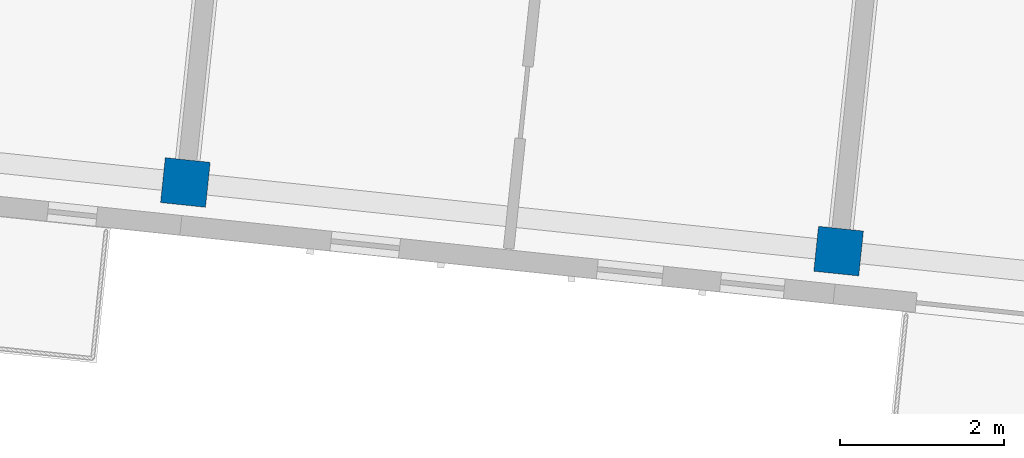
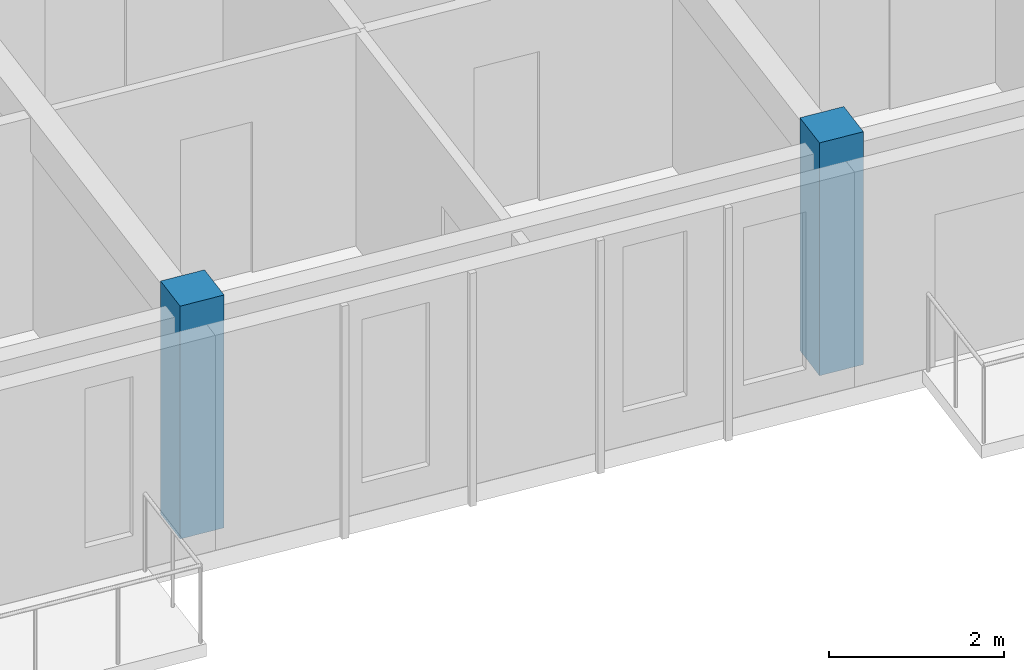
# One storey, part 3 of 127: 2 columns.
"""IFC4 building model written with IfcOpenShell, lengths in metres."""

from ifc_helpers import new_model, si_unit, direction, frame, origin, origin_2d, place, context, subcontext, project, spatial, rectangle, extrude, material, material_profile, profile_set, type_object, element, save


model = new_model("IFC4")

# Units and contexts
model_context = context("Model", 3, precision=1e-05, world=origin(), true_north=direction((0.0, 1.0)))
body_context = subcontext(model_context, "Body", "Model", "MODEL_VIEW")
ifc_project = project(units=[si_unit("LENGTHUNIT", "METRE"), si_unit("AREAUNIT", "SQUARE_METRE"), si_unit("VOLUMEUNIT", "CUBIC_METRE"), si_unit("PLANEANGLEUNIT", "RADIAN"), si_unit("MASSUNIT", "GRAM", prefix="KILO")], contexts=[model_context])

# Site, building, storey
site_placement = place(None, origin())
site = spatial("IfcSite", under=ifc_project, at=site_placement, CompositionType="ELEMENT")
building_placement = place(site_placement, origin())
building = spatial("IfcBuilding", under=site, at=building_placement, Name="Kestramere Prow Commons", CompositionType="ELEMENT")
storey_placement = place(building_placement, frame((0.0, 0.0, 8.39990234375)))
storey = spatial("IfcBuildingStorey", under=building, at=storey_placement, Name="L02", CompositionType="ELEMENT", Elevation=8.39990234375)

# Columns
ifc_material = material(Name="Precast concrete C40/50", Category="concrete")
ifc_material_profile = material_profile(ifc_material, rectangle(XDim=0.550048828125, YDim=0.550048828125, at=origin_2d()), Name="PC-COL 550x550")
ifc_profile_set = profile_set([ifc_material_profile], Name="Precast concrete C40/50")
column_type = type_object("IfcColumnType", Name="C-B2 PC-COL 550x550", PredefinedType="COLUMN", material=ifc_profile_set)
for number, where, z_axis, x_axis, name in (
    (1, (117.9560546875, 93.9638671875, 0.0), (0.0, 0.0, 1.0), (0.994521895368, -0.104528463268, 0.0), "Block B L02 Column 2-1"),
    (2, (125.912353515625, 93.12744140625, 0.0), (0.0, 0.0, 1.0), (0.994521895368, -0.104528463268, 0.0), "Block B L02 Column 3-1"),
):
    element("IfcColumn", number, at=place(storey_placement, frame(where, z_axis=z_axis, x_axis=x_axis)), inside=storey, type_object=column_type, Name=name, PredefinedType="COLUMN", context=body_context, shape_type="SweptSolid", body=[
        extrude(rectangle(XDim=0.550048828125, YDim=0.550048828125, at=origin_2d()), origin(), (0.0, 0.0, 1.0), 3.25),
    ])

save(model, "model.ifc")
